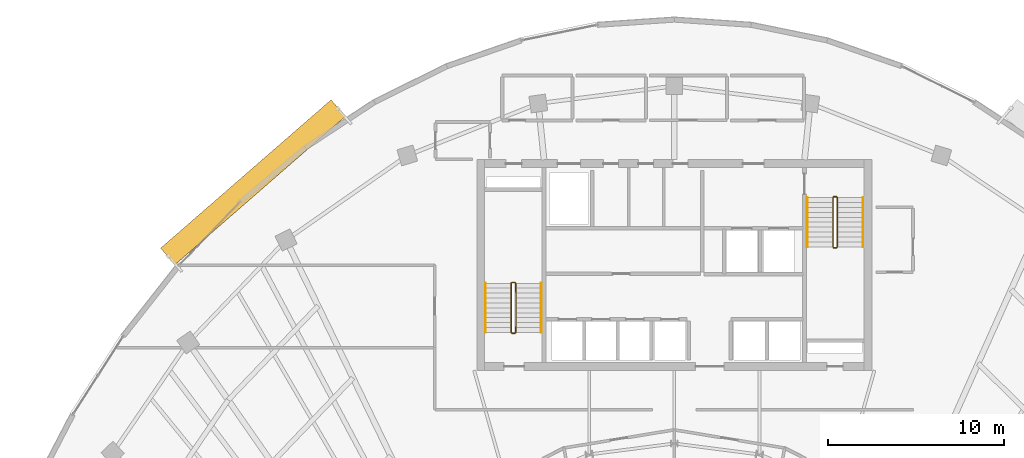
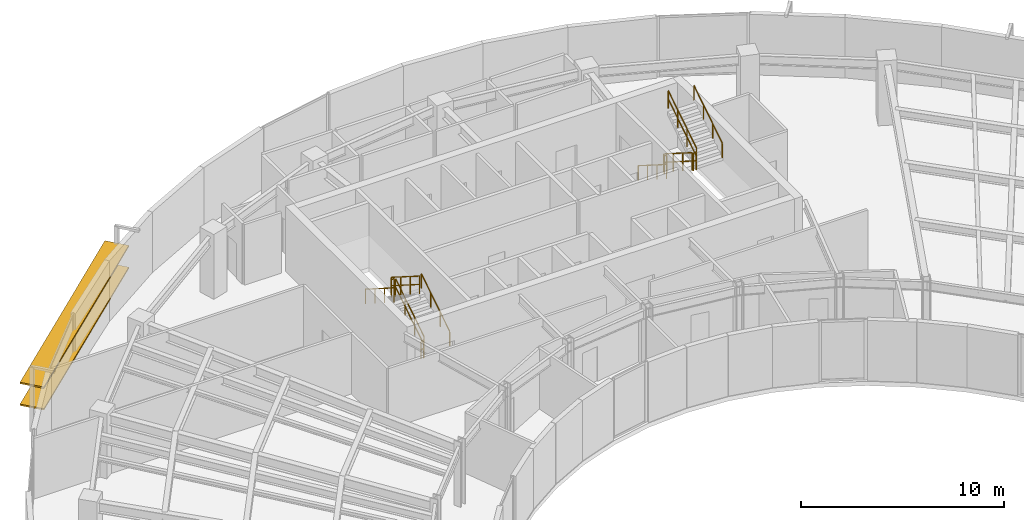
# One storey, part 13 of 14: 12 railings, 2 shading devices.
"""IFC4 building model written with IfcOpenShell, lengths in metres."""

from ifc_helpers import new_model, si_unit, direction, frame, origin, origin_2d, place, context, subcontext, project, spatial, rectangle, extrude, source, transform, mapped, material, material_profile, profile_set, type_object, element, save


model = new_model("IFC4")

# Units and contexts
model_context = context("Model", 3, precision=1e-05, world=origin(), true_north=direction((0.0, 1.0)))
body_context = subcontext(model_context, "Body", "Model", "MODEL_VIEW")
ifc_project = project(units=[si_unit("LENGTHUNIT", "METRE"), si_unit("AREAUNIT", "SQUARE_METRE"), si_unit("VOLUMEUNIT", "CUBIC_METRE"), si_unit("PLANEANGLEUNIT", "RADIAN"), si_unit("MASSUNIT", "GRAM", prefix="KILO")], contexts=[model_context])

# Site, building, storey
site_placement = place(None, origin())
site = spatial("IfcSite", under=ifc_project, at=site_placement, CompositionType="ELEMENT")
building_placement = place(site_placement, origin())
building = spatial("IfcBuilding", under=site, at=building_placement, Name="Breltana Convention Tower", CompositionType="ELEMENT")
storey_placement = place(building_placement, frame((0.0, 0.0, 211.800048828125)))
storey = spatial("IfcBuildingStorey", under=building, at=storey_placement, Name="L51", CompositionType="ELEMENT", Elevation=211.800048828125)

# Railings
ifc_material_1 = material(Name="Steel S275 Painted", Category="steel")
railing_type_1 = type_object("IfcRailingType", Name="RL-STAIR-GUARD-1100", PredefinedType="GUARDRAIL", material=ifc_material_1)
railing_1_placement = place(storey_placement, frame((38.9599609375, 62.360107421875, 0.17724609375)))
element("IfcRailing", 1, at=railing_1_placement, inside=storey, type_object=railing_type_1, Name="L51 ST-1 stair guard 1", PredefinedType="GUARDRAIL", context=body_context, shape_type="SweptSolid", body=[
    extrude(rectangle(XDim=0.048095703125, YDim=0.048095703125, at=origin_2d()), frame((0.0, 0.0, 1.076171875), z_axis=(0.0, 0.844887892834, 0.53494340686), x_axis=(-1.0, 0.0, 0.0)), (0.0, 0.0, 1.0), 3.313720703125),
    extrude(rectangle(XDim=0.048095703125, YDim=0.048095703125, at=origin_2d()), frame((0.0, 0.0, 0.572021484375), z_axis=(0.0, 0.844887892834, 0.53494340686), x_axis=(-1.0, 0.0, 0.0)), (0.0, 0.0, 1.0), 3.313720703125),
    extrude(rectangle(XDim=0.0419921875, YDim=0.0419921875, at=origin_2d()), origin(), (0.0, 0.0, 1.0), 1.052001953125),
    extrude(rectangle(XDim=0.0419921875, YDim=0.0419921875, at=origin_2d()), frame((0.0, 0.933349609375, 0.5908203125)), (0.0, 0.0, 1.0), 1.052001953125),
    extrude(rectangle(XDim=0.0419921875, YDim=0.0419921875, at=origin_2d()), frame((0.0, 1.866455078125, 1.181884765625)), (0.0, 0.0, 1.0), 1.052001953125),
    extrude(rectangle(XDim=0.0419921875, YDim=0.0419921875, at=origin_2d()), frame((0.0, 2.7998046875, 1.772705078125)), (0.0, 0.0, 1.0), 1.052001953125),
])
railing_2_placement = place(storey_placement, frame((38.909912109375, 65.2099609375, 1.949951171875)))
element("IfcRailing", 2, at=railing_2_placement, inside=storey, type_object=railing_type_1, Name="L51 ST-1 stair guard 2", PredefinedType="GUARDRAIL", context=body_context, shape_type="SweptSolid", body=[
    extrude(rectangle(XDim=0.048095703125, YDim=0.048095703125, at=origin_2d()), frame((0.0, 0.0, 1.076171875), z_axis=(-1.0, 0.0, 0.0), x_axis=(0.0, -1.0, 0.0)), (0.0, 0.0, 1.0), 0.14990234375),
    extrude(rectangle(XDim=0.048095703125, YDim=0.048095703125, at=origin_2d()), frame((0.0, 0.0, 0.572021484375), z_axis=(-1.0, 0.0, 0.0), x_axis=(0.0, -1.0, 0.0)), (0.0, 0.0, 1.0), 0.14990234375),
    extrude(rectangle(XDim=0.0419921875, YDim=0.0419921875, at=origin_2d()), origin(), (0.0, 0.0, 1.0), 1.052001953125),
    extrude(rectangle(XDim=0.0419921875, YDim=0.0419921875, at=origin_2d()), frame((-0.14990234375, 0.0, 0.0)), (0.0, 0.0, 1.0), 1.052001953125),
])
railing_3_placement = place(storey_placement, frame((38.7099609375, 65.159912109375, 2.127197265625)))
element("IfcRailing", 3, at=railing_3_placement, inside=storey, type_object=railing_type_1, Name="L51 ST-1 stair guard 3", PredefinedType="GUARDRAIL", context=body_context, shape_type="SweptSolid", body=[
    extrude(rectangle(XDim=0.048095703125, YDim=0.048095703125, at=origin_2d()), frame((0.0, 0.0, 1.076171875), z_axis=(0.0, -0.844887892834, 0.53494340686), x_axis=(1.0, 0.0, 0.0)), (0.0, 0.0, 1.0), 3.313720703125),
    extrude(rectangle(XDim=0.048095703125, YDim=0.048095703125, at=origin_2d()), frame((0.0, 0.0, 0.572021484375), z_axis=(0.0, -0.844887892834, 0.53494340686), x_axis=(1.0, 0.0, 0.0)), (0.0, 0.0, 1.0), 3.313720703125),
    extrude(rectangle(XDim=0.0419921875, YDim=0.0419921875, at=origin_2d()), origin(), (0.0, 0.0, 1.0), 1.052001953125),
    extrude(rectangle(XDim=0.0419921875, YDim=0.0419921875, at=origin_2d()), frame((0.0, -0.933349609375, 0.5908203125)), (0.0, 0.0, 1.0), 1.052001953125),
    extrude(rectangle(XDim=0.0419921875, YDim=0.0419921875, at=origin_2d()), frame((0.0, -1.866455078125, 1.181884765625)), (0.0, 0.0, 1.0), 1.052001953125),
    extrude(rectangle(XDim=0.0419921875, YDim=0.0419921875, at=origin_2d()), frame((0.0, -2.7998046875, 1.772705078125)), (0.0, 0.0, 1.0), 1.052001953125),
])
railing_4_placement = place(storey_placement, frame((38.909912109375, 62.31005859375, 0.0)))
element("IfcRailing", 4, at=railing_4_placement, inside=storey, type_object=railing_type_1, Name="L51 ST-1 stair guard 4", PredefinedType="GUARDRAIL", context=body_context, shape_type="SweptSolid", body=[
    extrude(rectangle(XDim=0.048095703125, YDim=0.048095703125, at=origin_2d()), frame((0.0, 0.0, 1.076171875), z_axis=(-1.0, 0.0, 0.0), x_axis=(0.0, -1.0, 0.0)), (0.0, 0.0, 1.0), 0.14990234375),
    extrude(rectangle(XDim=0.048095703125, YDim=0.048095703125, at=origin_2d()), frame((0.0, 0.0, 0.572021484375), z_axis=(-1.0, 0.0, 0.0), x_axis=(0.0, -1.0, 0.0)), (0.0, 0.0, 1.0), 0.14990234375),
    extrude(rectangle(XDim=0.0419921875, YDim=0.0419921875, at=origin_2d()), origin(), (0.0, 0.0, 1.0), 1.052001953125),
    extrude(rectangle(XDim=0.0419921875, YDim=0.0419921875, at=origin_2d()), frame((-0.14990234375, 0.0, 0.0)), (0.0, 0.0, 1.0), 1.052001953125),
])
railing_5_placement = place(storey_placement, frame((57.0400390625, 70.0400390625, 0.17724609375)))
element("IfcRailing", 5, at=railing_5_placement, inside=storey, type_object=railing_type_1, Name="L51 ST-2 stair guard 1", PredefinedType="GUARDRAIL", context=body_context, shape_type="SweptSolid", body=[
    extrude(rectangle(XDim=0.048095703125, YDim=0.048095703125, at=origin_2d()), frame((0.0, 0.0, 1.076171875), z_axis=(0.0, -0.844908973607, 0.534910110503), x_axis=(1.0, 0.0, 0.0)), (0.0, 0.0, 1.0), 3.31396484375),
    extrude(rectangle(XDim=0.048095703125, YDim=0.048095703125, at=origin_2d()), frame((0.0, 0.0, 0.572021484375), z_axis=(0.0, -0.844908973607, 0.534910110503), x_axis=(1.0, 0.0, 0.0)), (0.0, 0.0, 1.0), 3.31396484375),
    extrude(rectangle(XDim=0.0419921875, YDim=0.0419921875, at=origin_2d()), origin(), (0.0, 0.0, 1.0), 1.052001953125),
    extrude(rectangle(XDim=0.0419921875, YDim=0.0419921875, at=origin_2d()), frame((0.0, -0.933349609375, 0.5908203125)), (0.0, 0.0, 1.0), 1.052001953125),
    extrude(rectangle(XDim=0.0419921875, YDim=0.0419921875, at=origin_2d()), frame((0.0, -1.86669921875, 1.181884765625)), (0.0, 0.0, 1.0), 1.052001953125),
    extrude(rectangle(XDim=0.0419921875, YDim=0.0419921875, at=origin_2d()), frame((0.0, -2.800048828125, 1.772705078125)), (0.0, 0.0, 1.0), 1.052001953125),
])
railing_6_placement = place(storey_placement, frame((57.090087890625, 67.18994140625, 1.949951171875)))
element("IfcRailing", 6, at=railing_6_placement, inside=storey, type_object=railing_type_1, Name="L51 ST-2 stair guard 2", PredefinedType="GUARDRAIL", context=body_context, shape_type="SweptSolid", body=[
    extrude(rectangle(XDim=0.048095703125, YDim=0.048095703125, at=origin_2d()), frame((0.0, 0.0, 1.076171875), z_axis=(1.0, 0.0, 0.0), x_axis=(0.0, 1.0, 0.0)), (0.0, 0.0, 1.0), 0.14990234375),
    extrude(rectangle(XDim=0.048095703125, YDim=0.048095703125, at=origin_2d()), frame((0.0, 0.0, 0.572021484375), z_axis=(1.0, 0.0, 0.0), x_axis=(0.0, 1.0, 0.0)), (0.0, 0.0, 1.0), 0.14990234375),
    extrude(rectangle(XDim=0.0419921875, YDim=0.0419921875, at=origin_2d()), origin(), (0.0, 0.0, 1.0), 1.052001953125),
    extrude(rectangle(XDim=0.0419921875, YDim=0.0419921875, at=origin_2d()), frame((0.14990234375, 0.0, 0.0)), (0.0, 0.0, 1.0), 1.052001953125),
])
railing_7_placement = place(storey_placement, frame((57.2900390625, 67.239990234375, 2.127197265625)))
element("IfcRailing", 7, at=railing_7_placement, inside=storey, type_object=railing_type_1, Name="L51 ST-2 stair guard 3", PredefinedType="GUARDRAIL", context=body_context, shape_type="SweptSolid", body=[
    extrude(rectangle(XDim=0.048095703125, YDim=0.048095703125, at=origin_2d()), frame((0.0, 0.0, 1.076171875), z_axis=(0.0, 0.844908973607, 0.534910110503), x_axis=(-1.0, 0.0, 0.0)), (0.0, 0.0, 1.0), 3.31396484375),
    extrude(rectangle(XDim=0.048095703125, YDim=0.048095703125, at=origin_2d()), frame((0.0, 0.0, 0.572021484375), z_axis=(0.0, 0.844908973607, 0.534910110503), x_axis=(-1.0, 0.0, 0.0)), (0.0, 0.0, 1.0), 3.31396484375),
    extrude(rectangle(XDim=0.0419921875, YDim=0.0419921875, at=origin_2d()), origin(), (0.0, 0.0, 1.0), 1.052001953125),
    extrude(rectangle(XDim=0.0419921875, YDim=0.0419921875, at=origin_2d()), frame((0.0, 0.933349609375, 0.5908203125)), (0.0, 0.0, 1.0), 1.052001953125),
    extrude(rectangle(XDim=0.0419921875, YDim=0.0419921875, at=origin_2d()), frame((0.0, 1.86669921875, 1.181884765625)), (0.0, 0.0, 1.0), 1.052001953125),
    extrude(rectangle(XDim=0.0419921875, YDim=0.0419921875, at=origin_2d()), frame((0.0, 2.800048828125, 1.772705078125)), (0.0, 0.0, 1.0), 1.052001953125),
])
railing_8_placement = place(storey_placement, frame((57.090087890625, 70.090087890625, 0.0)))
element("IfcRailing", 8, at=railing_8_placement, inside=storey, type_object=railing_type_1, Name="L51 ST-2 stair guard 4", PredefinedType="GUARDRAIL", context=body_context, shape_type="SweptSolid", body=[
    extrude(rectangle(XDim=0.048095703125, YDim=0.048095703125, at=origin_2d()), frame((0.0, 0.0, 1.076171875), z_axis=(1.0, 0.0, 0.0), x_axis=(0.0, 1.0, 0.0)), (0.0, 0.0, 1.0), 0.14990234375),
    extrude(rectangle(XDim=0.048095703125, YDim=0.048095703125, at=origin_2d()), frame((0.0, 0.0, 0.572021484375), z_axis=(1.0, 0.0, 0.0), x_axis=(0.0, 1.0, 0.0)), (0.0, 0.0, 1.0), 0.14990234375),
    extrude(rectangle(XDim=0.0419921875, YDim=0.0419921875, at=origin_2d()), origin(), (0.0, 0.0, 1.0), 1.052001953125),
    extrude(rectangle(XDim=0.0419921875, YDim=0.0419921875, at=origin_2d()), frame((0.14990234375, 0.0, 0.0)), (0.0, 0.0, 1.0), 1.052001953125),
])
ifc_material_2 = material(Name="Stainless Steel 316L", Category="steel")
railing_type_2 = type_object("IfcRailingType", Name="RL-STAIR-HANDRAIL-900", PredefinedType="HANDRAIL", material=ifc_material_2)
railing_9_placement = place(storey_placement, frame((40.419921875, 62.360107421875, 0.17724609375)))
element("IfcRailing", 9, at=railing_9_placement, inside=storey, type_object=railing_type_2, Name="L51 ST-1 stair handrail 1", PredefinedType="HANDRAIL", context=body_context, shape_type="SweptSolid", body=[
    extrude(rectangle(XDim=0.048095703125, YDim=0.048095703125, at=origin_2d()), frame((0.0, 0.0, 0.8759765625), z_axis=(0.0, 0.844887892834, 0.53494340686), x_axis=(-1.0, 0.0, 0.0)), (0.0, 0.0, 1.0), 3.313720703125),
    extrude(rectangle(XDim=0.0419921875, YDim=0.0419921875, at=origin_2d()), origin(), (0.0, 0.0, 1.0), 0.851806640625),
    extrude(rectangle(XDim=0.0419921875, YDim=0.0419921875, at=origin_2d()), frame((0.0, 0.933349609375, 0.5908203125)), (0.0, 0.0, 1.0), 0.851806640625),
    extrude(rectangle(XDim=0.0419921875, YDim=0.0419921875, at=origin_2d()), frame((0.0, 1.866455078125, 1.181884765625)), (0.0, 0.0, 1.0), 0.851806640625),
    extrude(rectangle(XDim=0.0419921875, YDim=0.0419921875, at=origin_2d()), frame((0.0, 2.7998046875, 1.772705078125)), (0.0, 0.0, 1.0), 0.851806640625),
])
railing_10_placement = place(storey_placement, frame((37.25, 65.159912109375, 2.127197265625)))
element("IfcRailing", 10, at=railing_10_placement, inside=storey, type_object=railing_type_2, Name="L51 ST-1 stair handrail 2", PredefinedType="HANDRAIL", context=body_context, shape_type="SweptSolid", body=[
    extrude(rectangle(XDim=0.048095703125, YDim=0.048095703125, at=origin_2d()), frame((0.0, 0.0, 0.8759765625), z_axis=(0.0, -0.844887892834, 0.53494340686), x_axis=(1.0, 0.0, 0.0)), (0.0, 0.0, 1.0), 3.313720703125),
    extrude(rectangle(XDim=0.0419921875, YDim=0.0419921875, at=origin_2d()), origin(), (0.0, 0.0, 1.0), 0.851806640625),
    extrude(rectangle(XDim=0.0419921875, YDim=0.0419921875, at=origin_2d()), frame((0.0, -0.933349609375, 0.5908203125)), (0.0, 0.0, 1.0), 0.851806640625),
    extrude(rectangle(XDim=0.0419921875, YDim=0.0419921875, at=origin_2d()), frame((0.0, -1.866455078125, 1.181884765625)), (0.0, 0.0, 1.0), 0.851806640625),
    extrude(rectangle(XDim=0.0419921875, YDim=0.0419921875, at=origin_2d()), frame((0.0, -2.7998046875, 1.772705078125)), (0.0, 0.0, 1.0), 0.851806640625),
])
railing_11_placement = place(storey_placement, frame((55.580078125, 70.0400390625, 0.17724609375)))
element("IfcRailing", 11, at=railing_11_placement, inside=storey, type_object=railing_type_2, Name="L51 ST-2 stair handrail 1", PredefinedType="HANDRAIL", context=body_context, shape_type="SweptSolid", body=[
    extrude(rectangle(XDim=0.048095703125, YDim=0.048095703125, at=origin_2d()), frame((0.0, 0.0, 0.8759765625), z_axis=(0.0, -0.844908973607, 0.534910110503), x_axis=(1.0, 0.0, 0.0)), (0.0, 0.0, 1.0), 3.31396484375),
    extrude(rectangle(XDim=0.0419921875, YDim=0.0419921875, at=origin_2d()), origin(), (0.0, 0.0, 1.0), 0.851806640625),
    extrude(rectangle(XDim=0.0419921875, YDim=0.0419921875, at=origin_2d()), frame((0.0, -0.933349609375, 0.5908203125)), (0.0, 0.0, 1.0), 0.851806640625),
    extrude(rectangle(XDim=0.0419921875, YDim=0.0419921875, at=origin_2d()), frame((0.0, -1.86669921875, 1.181884765625)), (0.0, 0.0, 1.0), 0.851806640625),
    extrude(rectangle(XDim=0.0419921875, YDim=0.0419921875, at=origin_2d()), frame((0.0, -2.800048828125, 1.772705078125)), (0.0, 0.0, 1.0), 0.851806640625),
])
railing_12_placement = place(storey_placement, frame((58.75, 67.239990234375, 2.127197265625)))
element("IfcRailing", 12, at=railing_12_placement, inside=storey, type_object=railing_type_2, Name="L51 ST-2 stair handrail 2", PredefinedType="HANDRAIL", context=body_context, shape_type="SweptSolid", body=[
    extrude(rectangle(XDim=0.048095703125, YDim=0.048095703125, at=origin_2d()), frame((0.0, 0.0, 0.8759765625), z_axis=(0.0, 0.844908973607, 0.534910110503), x_axis=(-1.0, 0.0, 0.0)), (0.0, 0.0, 1.0), 3.31396484375),
    extrude(rectangle(XDim=0.0419921875, YDim=0.0419921875, at=origin_2d()), origin(), (0.0, 0.0, 1.0), 0.851806640625),
    extrude(rectangle(XDim=0.0419921875, YDim=0.0419921875, at=origin_2d()), frame((0.0, 0.933349609375, 0.5908203125)), (0.0, 0.0, 1.0), 0.851806640625),
    extrude(rectangle(XDim=0.0419921875, YDim=0.0419921875, at=origin_2d()), frame((0.0, 1.86669921875, 1.181884765625)), (0.0, 0.0, 1.0), 0.851806640625),
    extrude(rectangle(XDim=0.0419921875, YDim=0.0419921875, at=origin_2d()), frame((0.0, 2.800048828125, 1.772705078125)), (0.0, 0.0, 1.0), 0.851806640625),
])

# Shading devices
ifc_material_3 = material(Name="Limestone Warm Buff Honed", Category="masonry")
ifc_material_profile = material_profile(ifc_material_3, rectangle(XDim=1.25, YDim=0.090087890625, at=origin_2d()), Name="STN-LVR-1250X90")
ifc_profile_set = profile_set([ifc_material_profile], Name="Limestone Warm Buff Honed")
shading_device_type = type_object("IfcShadingDeviceType", Name="SHD-OUTER-SKIN-LIMESTONE-1250", PredefinedType="JALOUSIE", material=ifc_profile_set)
shared_shape = source(origin(), body_context, "Body", "SweptSolid", [
    extrude(rectangle(XDim=1.25, YDim=0.090087890625, at=origin_2d()), origin(), (0.0, 0.0, 1.0), 12.87255859375),
])
for number, where, z_axis, x_axis, name in (
    (13, (19.147216796875, 66.69140625, 1.310302734375), (0.754370287864, 0.656449136482, 0.0), (-0.656449136482, 0.754370287864, 0.0), "L51 outer skin warm limestone louvre 1.1"),
    (14, (19.147216796875, 66.69140625, 2.620849609375), (0.754370287864, 0.656449136482, 0.0), (-0.656449136482, 0.754370287864, 0.0), "L51 outer skin warm limestone louvre 1.2"),
):
    element("IfcShadingDevice", number, at=place(storey_placement, frame(where, z_axis=z_axis, x_axis=x_axis)), inside=storey, type_object=shading_device_type, Name=name, PredefinedType="JALOUSIE", context=body_context, shape_type="MappedRepresentation", body=[
        mapped(shared_shape, transform((0.0, 0.0, 0.0), scale=1.0)),
    ])

save(model, "model.ifc")
